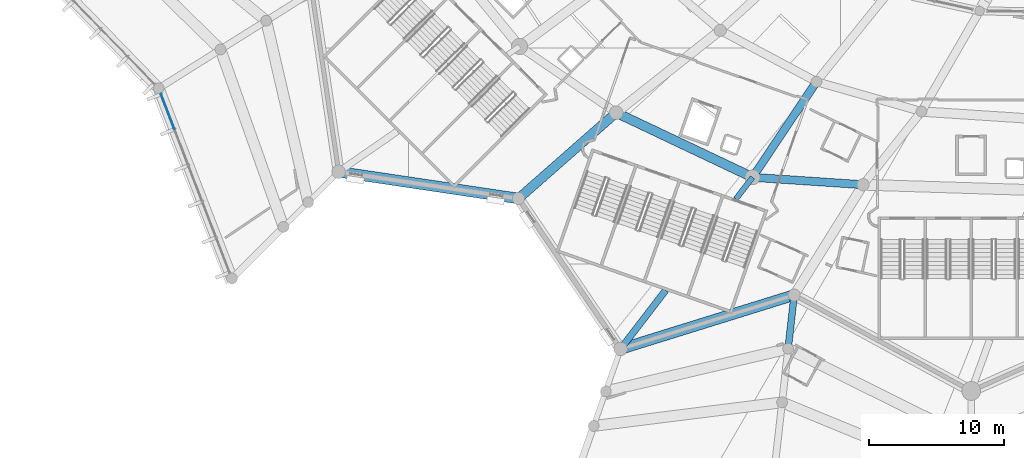
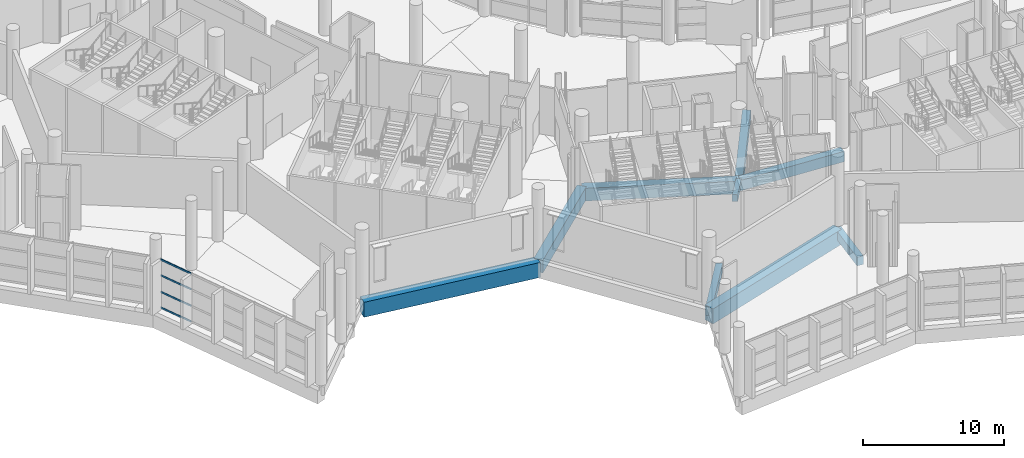
# One storey, part 7 of 249: 9 beams, 4 members, 1 element without a shape of its own.
"""IFC4 building model written with IfcOpenShell, lengths in metres."""

from ifc_helpers import new_model, si_unit, direction, frame, origin, origin_2d, place, context, subcontext, project, spatial, rectangle, extrude, material, layer, layer_set, material_profile, profile_set, type_object, element, aggregate, save


model = new_model("IFC4")

# Units and contexts
model_context = context("Model", 3, precision=1e-05, world=origin(), true_north=direction((0.0, 1.0)))
body_context = subcontext(model_context, "Body", "Model", "MODEL_VIEW")
ifc_project = project(units=[si_unit("LENGTHUNIT", "METRE"), si_unit("AREAUNIT", "SQUARE_METRE"), si_unit("VOLUMEUNIT", "CUBIC_METRE"), si_unit("PLANEANGLEUNIT", "RADIAN"), si_unit("MASSUNIT", "GRAM", prefix="KILO")], contexts=[model_context])

# Site, building, storey
site_placement = place(None, origin())
site = spatial("IfcSite", under=ifc_project, at=site_placement, CompositionType="ELEMENT")
building_placement = place(site_placement, origin())
building = spatial("IfcBuilding", under=site, at=building_placement, Name="Meseta Stadium", CompositionType="ELEMENT")
storey_placement = place(building_placement, frame((0.0, 0.0, 12.0)))
storey = spatial("IfcBuildingStorey", under=building, at=storey_placement, Name="L02", CompositionType="ELEMENT", Elevation=12.0)

# Beams
ifc_material_1 = material(Name="Concrete C40/50", Category="concrete")
ifc_material_profile_1 = material_profile(ifc_material_1, rectangle(XDim=0.39990234375, YDim=0.60009765625, at=origin_2d()), Name="RC 400x600")
ifc_profile_set_1 = profile_set([ifc_material_profile_1], Name="Concrete C40/50")
beam_type_1 = type_object("IfcBeamType", Name="RC beam 400x600", PredefinedType="BEAM", material=ifc_profile_set_1)
beam_1_placement = place(storey_placement, frame((-54.523193359375, -89.579345703125, -0.64990234375), z_axis=(-0.60958282029, -0.792722388486, 0.0), x_axis=(0.792722388486, -0.60958282029, 0.0)))
element("IfcBeam", 1, at=beam_1_placement, inside=storey, type_object=beam_type_1, Name="L02 radial beam frame 42 line P to R", PredefinedType="BEAM", context=body_context, shape_type="SweptSolid", body=[
    extrude(rectangle(XDim=0.39990234375, YDim=0.60009765625, at=origin_2d()), origin(), (0.0, 0.0, 1.0), 2.029052734375),
])
ifc_material_2 = material(Name="Concrete C40/50", Category="concrete")
ifc_material_profile_2 = material_profile(ifc_material_2, rectangle(XDim=0.5, YDim=0.75, at=origin_2d()), Name="RC 500x750")
ifc_profile_set_2 = profile_set([ifc_material_profile_2], Name="Concrete C40/50")
beam_type_2 = type_object("IfcBeamType", Name="RC beam 500x750", PredefinedType="BEAM", material=ifc_profile_set_2)
beam_2_placement = place(storey_placement, frame((-60.95947265625, -97.949951171875, -0.72509765625), z_axis=(-0.609579324643, -0.792725076536, 0.0), x_axis=(0.792725076536, -0.609579324643, 0.0)))
element("IfcBeam", 2, at=beam_2_placement, inside=storey, type_object=beam_type_2, Name="L02 radial beam frame 42 line P to R", PredefinedType="BEAM", context=body_context, shape_type="SweptSolid", body=[
    extrude(rectangle(XDim=0.5, YDim=0.75, at=origin_2d()), origin(), (0.0, 0.0, 1.0), 5.47607421875),
])
beam_3_placement = place(storey_placement, frame((-51.44140625, -98.29443359375, -0.72509765625), z_axis=(-0.111998942203, -0.993708325891, 0.0), x_axis=(0.993708325891, -0.111998942203, 0.0)))
element("IfcBeam", 3, at=beam_3_placement, inside=storey, type_object=beam_type_2, Name="L02 radial beam frame 43 line R to M", PredefinedType="BEAM", context=body_context, shape_type="SweptSolid", body=[
    extrude(rectangle(XDim=0.5, YDim=0.75, at=origin_2d()), origin(), (0.0, 0.0, 1.0), 4.0),
])
ifc_material_3 = material(Name="Concrete C40/50", Category="concrete")
ifc_material_profile_3 = material_profile(ifc_material_3, rectangle(XDim=0.60009765625, YDim=0.89990234375, at=origin_2d()), Name="RC 600x900")
ifc_profile_set_3 = profile_set([ifc_material_profile_3], Name="Concrete C40/50")
beam_type_3 = type_object("IfcBeamType", Name="RC beam 600x900", PredefinedType="BEAM", material=ifc_profile_set_3)
beam_4_placement = place(storey_placement, frame((-54.523193359375, -89.579345703125, -0.800048828125), z_axis=(0.997778045289, -0.066625613231, 0.0), x_axis=(0.066625613231, 0.997778045289, 0.0)))
element("IfcBeam", 4, at=beam_4_placement, inside=storey, type_object=beam_type_3, Name="L02 ring beam frame 42 line P", PredefinedType="BEAM", context=body_context, shape_type="SweptSolid", body=[
    extrude(rectangle(XDim=0.60009765625, YDim=0.89990234375, at=origin_2d()), origin(), (0.0, 0.0, 1.0), 8.208251953125),
])
beam_5_placement = place(storey_placement, frame((-49.791015625, -82.498779296875, -0.800048828125), z_axis=(-0.555659080942, -0.831410239152, 0.0), x_axis=(0.831410239152, -0.555659080942, 0.0)))
element("IfcBeam", 5, at=beam_5_placement, inside=storey, type_object=beam_type_3, Name="L02 radial beam frame 42 line E to P", PredefinedType="BEAM", context=body_context, shape_type="SweptSolid", body=[
    extrude(rectangle(XDim=0.60009765625, YDim=0.89990234375, at=origin_2d()), origin(), (0.0, 0.0, 1.0), 8.516357421875),
])
ifc_material_4 = material(Name="Concrete C40/50", Category="concrete")
ifc_material_profile_4 = material_profile(ifc_material_4, rectangle(XDim=0.699951171875, YDim=1.10009765625, at=origin_2d()), Name="RC 700x1100")
ifc_profile_set_4 = profile_set([ifc_material_profile_4], Name="Concrete C40/50")
beam_type_4 = type_object("IfcBeamType", Name="RC beam 700x1100", PredefinedType="BEAM", material=ifc_profile_set_4)
beam_6_placement = place(storey_placement, frame((-64.6220703125, -84.79248046875, -0.89990234375), z_axis=(0.903627495473, -0.428319214402, 0.0), x_axis=(0.428319214402, 0.903627495473, 0.0)))
element("IfcBeam", 6, at=beam_6_placement, inside=storey, type_object=beam_type_4, Name="L02 ring beam frame 41 line P", PredefinedType="BEAM", context=body_context, shape_type="SweptSolid", body=[
    extrude(rectangle(XDim=0.699951171875, YDim=1.10009765625, at=origin_2d()), origin(), (0.0, 0.0, 1.0), 11.176025390625),
])
beam_7_placement = place(storey_placement, frame((-64.6220703125, -84.79248046875, -0.89990234375), z_axis=(-0.751128714449, -0.66015578035, 0.0), x_axis=(0.66015578035, -0.751128714449, 0.0)))
element("IfcBeam", 7, at=beam_7_placement, inside=storey, type_object=beam_type_4, Name="L02 radial beam frame 41 line P to R", PredefinedType="BEAM", context=body_context, shape_type="SweptSolid", body=[
    extrude(rectangle(XDim=0.699951171875, YDim=1.10009765625, at=origin_2d()), origin(), (0.0, 0.0, 1.0), 9.631591796875),
])
ifc_material_5 = material(Name="Concrete C40/50", Category="concrete")
ifc_material_profile_5 = material_profile(ifc_material_5, rectangle(XDim=0.800048828125, YDim=1.300048828125, at=origin_2d()), Name="RC 800x1300")
ifc_profile_set_5 = profile_set([ifc_material_profile_5], Name="Concrete C40/50")
beam_type_5 = type_object("IfcBeamType", Name="RC beam 800x1300", PredefinedType="BEAM", material=ifc_profile_set_5)
beam_8_placement = place(storey_placement, frame((-85.173583984375, -89.173583984375, -1.0), z_axis=(0.989155798373, -0.146870032835, 0.0), x_axis=(0.146870032835, 0.989155798373, 0.0)))
element("IfcBeam", 8, at=beam_8_placement, inside=storey, type_object=beam_type_5, Name="L02 ring beam frame 40 line R", PredefinedType="BEAM", context=body_context, shape_type="SweptSolid", body=[
    extrude(rectangle(XDim=0.800048828125, YDim=1.300048828125, at=origin_2d()), origin(), (0.0, 0.0, 1.0), 13.462890625),
])
beam_9_placement = place(storey_placement, frame((-64.297607421875, -102.291015625, -1.0), z_axis=(0.954922594045, 0.296854913016, 0.0), x_axis=(-0.296854913016, 0.954922594045, 0.0)))
element("IfcBeam", 9, at=beam_9_placement, inside=storey, type_object=beam_type_5, Name="L02 ring beam frame 42 line R", PredefinedType="BEAM", context=body_context, shape_type="SweptSolid", body=[
    extrude(rectangle(XDim=0.800048828125, YDim=1.300048828125, at=origin_2d()), origin(), (0.0, 0.0, 1.0), 13.463134765625),
])

# Curtain wall, members
ifc_material_6 = material(Name="Aluminium", Category="aluminium")
ifc_layer = layer(ifc_material_6, 0.199951171875)
ifc_layer_set = layer_set([ifc_layer], Name="Ring shopfront curtain wall")
curtain_wall_type = type_object("IfcCurtainWallType", Name="Ring shopfront curtain wall", PredefinedType="NOTDEFINED", material=ifc_layer_set)
curtain_wall_placement = place(storey_placement, origin())
curtain_wall = element("IfcCurtainWall", 10, at=curtain_wall_placement, inside=storey, type_object=curtain_wall_type, Name="Ring glazing L02 F39", PredefinedType="NOTDEFINED")
ifc_material_7 = material(Name="Aluminium", Category="aluminium")
ifc_material_profile_6 = material_profile(ifc_material_7, rectangle(XDim=0.06005859375, YDim=0.14990234375, at=origin_2d()), Name="CW 60x150")
ifc_profile_set_6 = profile_set([ifc_material_profile_6], Name="Aluminium")
member_type = type_object("IfcMemberType", Name="Ring CW transom 60x150", PredefinedType="USERDEFINED", material=ifc_profile_set_6)
member_1_placement = place(storey_placement, frame((-98.33154296875, -83.415283203125, 0.074951171875), z_axis=(0.359274461241, -0.933231944106, 0.0), x_axis=(0.933231944106, 0.359274461241, 0.0)))
member_1 = element("IfcMember", 11, at=member_1_placement, type_object=member_type, Name="CWR1 transom 1.1", ObjectType="TRANSOM", PredefinedType="USERDEFINED", context=body_context, shape_type="SweptSolid", body=[
    extrude(rectangle(XDim=0.06005859375, YDim=0.14990234375, at=origin_2d()), origin(), (0.0, 0.0, 1.0), 2.76904296875),
])
member_2_placement = place(storey_placement, frame((-98.33154296875, -83.415283203125, 1.433349609375), z_axis=(0.359274461241, -0.933231944106, 0.0), x_axis=(0.933231944106, 0.359274461241, 0.0)))
member_2 = element("IfcMember", 12, at=member_2_placement, type_object=member_type, Name="CWR1 transom 1.2", ObjectType="TRANSOM", PredefinedType="USERDEFINED", context=body_context, shape_type="SweptSolid", body=[
    extrude(rectangle(XDim=0.06005859375, YDim=0.14990234375, at=origin_2d()), origin(), (0.0, 0.0, 1.0), 2.76904296875),
])
member_3_placement = place(storey_placement, frame((-98.33154296875, -83.415283203125, 2.86669921875), z_axis=(0.359274461241, -0.933231944106, 0.0), x_axis=(0.933231944106, 0.359274461241, 0.0)))
member_3 = element("IfcMember", 13, at=member_3_placement, type_object=member_type, Name="CWR1 transom 1.3", ObjectType="TRANSOM", PredefinedType="USERDEFINED", context=body_context, shape_type="SweptSolid", body=[
    extrude(rectangle(XDim=0.06005859375, YDim=0.14990234375, at=origin_2d()), origin(), (0.0, 0.0, 1.0), 2.76904296875),
])
member_4_placement = place(storey_placement, frame((-98.33154296875, -83.415283203125, 4.22509765625), z_axis=(0.359274461241, -0.933231944106, 0.0), x_axis=(0.933231944106, 0.359274461241, 0.0)))
member_4 = element("IfcMember", 14, at=member_4_placement, type_object=member_type, Name="CWR1 transom 1.4", ObjectType="TRANSOM", PredefinedType="USERDEFINED", context=body_context, shape_type="SweptSolid", body=[
    extrude(rectangle(XDim=0.06005859375, YDim=0.14990234375, at=origin_2d()), origin(), (0.0, 0.0, 1.0), 2.76904296875),
])
aggregate(curtain_wall, [member_1, member_2, member_3, member_4])

save(model, "model.ifc")
